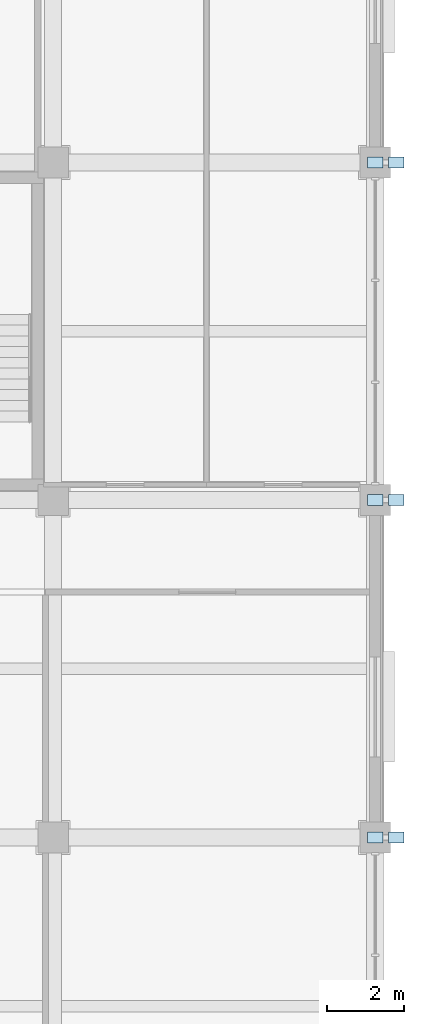
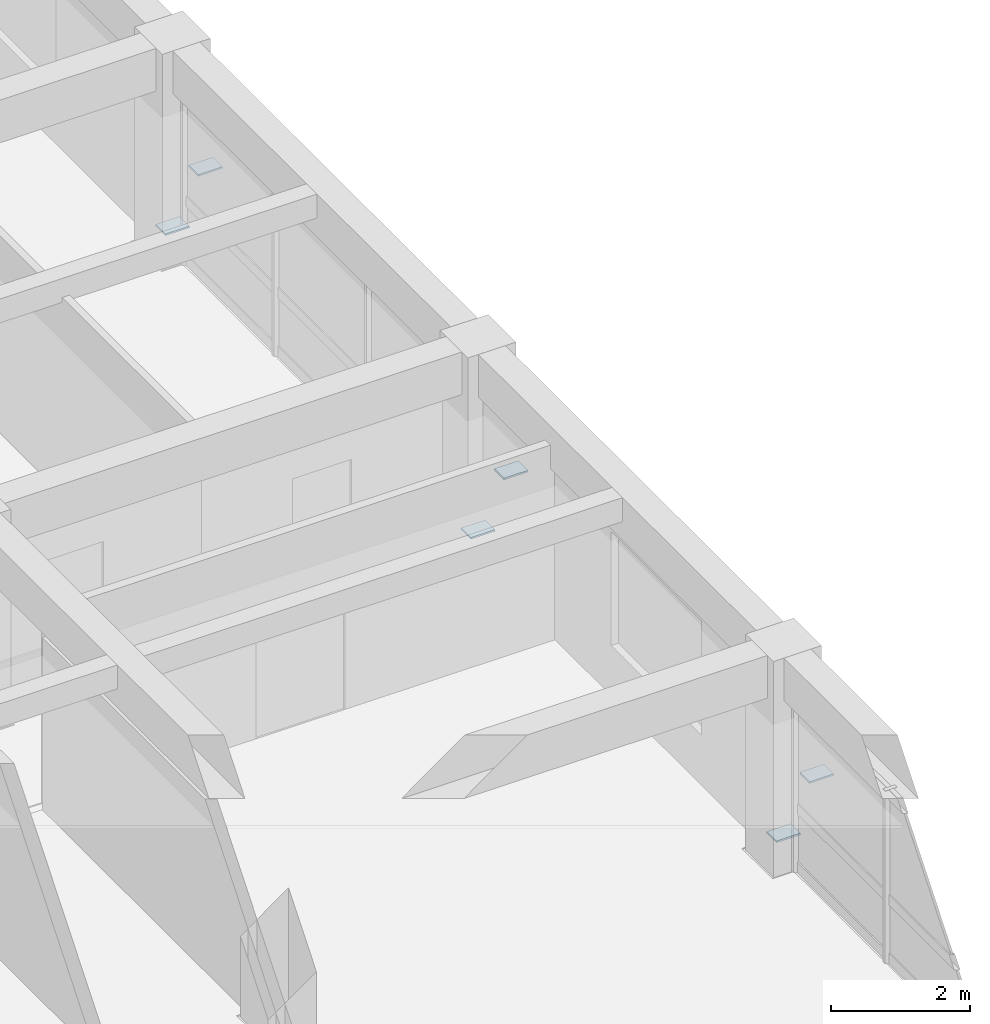
# One storey, part 8 of 16: 6 plates.
"""IFC4 building model written with IfcOpenShell, lengths in metres."""

import ifcopenshell
import ifcopenshell.guid

model = None  # the IFC model being written
_history = None  # IfcOwnerHistory: only IFC2X3 demands one
_inside = {}  # id of a spatial element -> (the spatial element, [elements in it])
_under = {}  # id of a project, library or spatial element -> (it, [spatial elements below it])
_declared = {}  # id of a project -> (the project, [libraries it declares])
_typed = {}  # id of a type object -> (the type object, [elements of that type])
_made_of = {}  # id of a material, layer set ... -> (it, [elements and type objects made of it])


def new_model(schema):
    """Start an empty IFC model of exactly this schema.

    Asked for "IFC4X3", IfcOpenShell would pick the latest addendum, in which some entities
    have other attributes; the version numbers below select the first issue.
    IFC2X3 requires an IfcOwnerHistory on every rooted entity: one is made here for all.
    """
    global model, _history
    if schema == "IFC4X3":
        model = ifcopenshell.file(schema_version=(4, 3, 0, 0))
    else:
        model = ifcopenshell.file(schema=schema)
    _inside.clear()
    _under.clear()
    _declared.clear()
    _typed.clear()
    _made_of.clear()
    _history = None
    if model.schema == "IFC2X3":
        org = make("IfcOrganization", Name="unknown")
        user = make(
            "IfcPersonAndOrganization",
            ThePerson=make("IfcPerson", FamilyName="unknown"),
            TheOrganization=org,
        )
        app = make(
            "IfcApplication",
            ApplicationDeveloper=org,
            Version="unknown",
            ApplicationFullName="unknown",
            ApplicationIdentifier="unknown",
        )
        _history = make(
            "IfcOwnerHistory",
            OwningUser=user,
            OwningApplication=app,
            ChangeAction="ADDED",
            CreationDate=0,
        )
    return model


def make(cls, **values):
    """One entity of the class cls with the attributes given. An attribute that is None is left unset."""
    return model.create_entity(
        cls, **{name: value for name, value in values.items() if value is not None}
    )


def rooted(cls, **values):
    """An entity with a GlobalId (a new one), such as an element, a storey or a relation."""
    return make(cls, GlobalId=ifcopenshell.guid.new(), OwnerHistory=_history, **values)


def si_unit(unit_type, name, prefix=None):
    """IfcSIUnit, for example si_unit("LENGTHUNIT", "METRE", prefix="MILLI")."""
    return make("IfcSIUnit", UnitType=unit_type, Prefix=prefix, Name=name)


def assignment(units):
    """IfcUnitAssignment: the units of a project."""
    return None if units is None else make("IfcUnitAssignment", Units=units)


def point(xyz):
    """IfcCartesianPoint."""
    return None if xyz is None else make("IfcCartesianPoint", Coordinates=xyz)


def direction(xyz):
    """IfcDirection."""
    return None if xyz is None else make("IfcDirection", DirectionRatios=xyz)


def frame(location, z_axis=None, x_axis=None):
    """IfcAxis2Placement3D, a coordinate frame: its origin and axes. An axis left out is left unset."""
    return make(
        "IfcAxis2Placement3D",
        Location=point(location),
        Axis=direction(z_axis),
        RefDirection=direction(x_axis),
    )


def frame_2d(location, x_axis=None):
    """IfcAxis2Placement2D, a coordinate frame in the plane: its origin and x axis."""
    return make(
        "IfcAxis2Placement2D", Location=point(location), RefDirection=direction(x_axis)
    )


def origin():
    """The frame at (0, 0, 0) with its axes left unset."""
    return frame((0.0, 0.0, 0.0))


def origin_2d():
    """The frame at (0, 0) in the plane with its x axis left unset."""
    return frame_2d((0.0, 0.0))


def place(relative_to, where):
    """IfcLocalPlacement: puts the frame where relative to a parent placement (None: the world)."""
    return make(
        "IfcLocalPlacement", PlacementRelTo=relative_to, RelativePlacement=where
    )


def context(
    kind, dimensions, precision=None, world=None, true_north=None, identifier=None
):
    """IfcGeometricRepresentationContext, for example the 3D "Model" context."""
    return make(
        "IfcGeometricRepresentationContext",
        ContextIdentifier=identifier,
        ContextType=kind,
        CoordinateSpaceDimension=dimensions,
        Precision=precision,
        WorldCoordinateSystem=world,
        TrueNorth=true_north,
    )


def subcontext(parent, identifier, kind, view, scale=None):
    """IfcGeometricRepresentationSubContext, for example "Body" below "Model"."""
    return make(
        "IfcGeometricRepresentationSubContext",
        ContextIdentifier=identifier,
        ContextType=kind,
        ParentContext=parent,
        TargetScale=scale,
        TargetView=view,
    )


def project(units=None, contexts=None):
    """IfcProject with its units and contexts."""
    return rooted(
        "IfcProject",
        Name="project",
        RepresentationContexts=contexts,
        UnitsInContext=assignment(units),
    )


def spatial(cls, under=None, at=None, **own):
    """A site, building, storey or space (cls), placed at a placement, below another one or the project."""
    s = rooted(cls, ObjectPlacement=at, **own)
    if under is not None:
        _under.setdefault(under.id(), (under, []))[1].append(s)
    return s


def profile(cls, at=None, kind="AREA", **sizes):
    """A parametric profile (cls). Its sizes go by their IFC names, for example OverallWidth=200.0."""
    return make(cls, ProfileType=kind, Position=at, **sizes)


def rectangle(**sizes):
    """IfcRectangleProfileDef."""
    return profile("IfcRectangleProfileDef", **sizes)


def extrude(swept, where, along, depth):
    """IfcExtrudedAreaSolid: the profile swept, set in the frame where, extruded along a direction by depth."""
    return make(
        "IfcExtrudedAreaSolid",
        SweptArea=swept,
        Position=where,
        ExtrudedDirection=direction(along),
        Depth=depth,
    )


def shape(context_of_items, identifier, shape_type, items):
    """IfcShapeRepresentation: the items that make up one representation, for example the "Body"."""
    return make(
        "IfcShapeRepresentation",
        ContextOfItems=context_of_items,
        RepresentationIdentifier=identifier,
        RepresentationType=shape_type,
        Items=items,
    )


def material(Name=None, Category=None):
    """IfcMaterial."""
    return make("IfcMaterial", Name=Name, Category=Category)


def layer(
    of_material, thickness, ventilated=None, Name=None, Category=None, Priority=None
):
    """IfcMaterialLayer: one layer of a wall or slab, of a material (None: an air gap)."""
    return make(
        "IfcMaterialLayer",
        Material=of_material,
        LayerThickness=thickness,
        IsVentilated=ventilated,
        Name=Name,
        Category=Category,
        Priority=Priority,
    )


def layer_set(layers, Name=None):
    """IfcMaterialLayerSet."""
    return make("IfcMaterialLayerSet", MaterialLayers=layers, LayerSetName=Name)


def made_of(thing, what):
    """Note that an element or type object is made of a material, layer set ...; save() writes the relation."""
    if what is not None:
        _made_of.setdefault(what.id(), (what, []))[1].append(thing)
    return thing


def type_object(cls, material=None, **own):
    """A type object (cls), such as IfcWallType, which elements share."""
    return made_of(rooted(cls, **own), material)


def element(
    cls,
    number,
    at=None,
    inside=None,
    cuts=None,
    type_object=None,
    material=None,
    context=None,
    identifier="Body",
    shape_type=None,
    held_by="IfcProductDefinitionShape",
    body=None,
    shapes=None,
    **own,
):
    """One element of the class cls, such as IfcWall. Its Tag is "e" and its number.

    at: its placement. inside: the storey or other place that contains it. cuts: it is an
    opening in that element (IfcRelVoidsElement). A single representation is given by context,
    identifier, shape_type and body (its items); several are given by shapes. held_by: the class
    of the entity that holds the representations. save() writes the other relations.
    """
    e = rooted(cls, Tag="e%d" % number, ObjectPlacement=at, **own)
    if body is not None:
        shapes = [shape(context, identifier, shape_type, body)]
    if shapes is not None:
        e.Representation = make(held_by, Representations=shapes)
    if inside is not None:
        _inside.setdefault(inside.id(), (inside, []))[1].append(e)
    if cuts is not None:
        rooted(
            "IfcRelVoidsElement", RelatingBuildingElement=cuts, RelatedOpeningElement=e
        )
    if type_object is not None:
        _typed.setdefault(type_object.id(), (type_object, []))[1].append(e)
    return made_of(e, material)


def aggregate(whole, parts):
    """IfcRelAggregates: a whole, such as a stair, and the parts it consists of."""
    return rooted("IfcRelAggregates", RelatingObject=whole, RelatedObjects=parts)


def save(model, path):
    """Write the relations noted so far, then the file.

    IfcRelAggregates (storeys below a building ...), IfcRelContainedInSpatialStructure (elements
    in a storey), IfcRelDefinesByType, IfcRelAssociatesMaterial and IfcRelDeclares: one each for
    every whole, place, type object, material and project.
    """
    for whole, parts in _under.values():
        aggregate(whole, parts)
    for where, things in _inside.values():
        rooted(
            "IfcRelContainedInSpatialStructure",
            RelatedElements=things,
            RelatingStructure=where,
        )
    for kind, things in _typed.values():
        rooted("IfcRelDefinesByType", RelatedObjects=things, RelatingType=kind)
    for what, things in _made_of.values():
        rooted("IfcRelAssociatesMaterial", RelatedObjects=things, RelatingMaterial=what)
    for by, libraries in _declared.values():
        rooted("IfcRelDeclares", RelatingContext=by, RelatedDefinitions=libraries)
    model.write(path)


model = new_model("IFC4")

# Units and contexts
model_context = context("Model", 3, precision=1e-05, world=origin(), true_north=direction((0.0, 1.0)))
body_context = subcontext(model_context, "Body", "Model", "MODEL_VIEW")
ifc_project = project(units=[si_unit("LENGTHUNIT", "METRE"), si_unit("AREAUNIT", "SQUARE_METRE"), si_unit("VOLUMEUNIT", "CUBIC_METRE"), si_unit("PLANEANGLEUNIT", "RADIAN"), si_unit("MASSUNIT", "GRAM", prefix="KILO")], contexts=[model_context])

# Site, building, storey
site_placement = place(None, origin())
site = spatial("IfcSite", under=ifc_project, at=site_placement, CompositionType="ELEMENT")
building_placement = place(site_placement, origin())
building = spatial("IfcBuilding", under=site, at=building_placement, Name="Kemercrest Conservatory and Botanical Centre", CompositionType="ELEMENT")
storey_placement = place(building_placement, frame((0.0, 0.0, 17.199951171875)))
storey = spatial("IfcBuildingStorey", under=building, at=storey_placement, Name="L04", CompositionType="ELEMENT", Elevation=17.199951171875)

# Plates
ifc_material = material(Name="Steel CSA G40.21 350W", Category="steel")
ifc_layer = layer(ifc_material, 0.030029296875)
ifc_layer_set = layer_set([ifc_layer], Name="Steel CSA G40.21 350W")
plate_type = type_object("IfcPlateType", Name="GN-05", PredefinedType="USERDEFINED", material=ifc_layer_set)
for number, where, z_axis, x_axis, name in (
    (1, (176.550048828125, 96.0, 1.23486328125), (0.0, 0.0, 1.0), (1.0, 0.0, 0.0), "Cumba knee bracket end cap plate GN-05 L04-1"),
    (2, (176.0, 96.0, 0.38525390625), (0.0, 0.0, 1.0), (1.0, 0.0, 0.0), "Cumba knee bracket wall gusset plate GN-05 L04-1"),
    (3, (176.550048828125, 104.800048828125, 1.23486328125), (0.0, 0.0, 1.0), (1.0, 0.0, 0.0), "Cumba knee bracket end cap plate GN-05 L04-2"),
    (4, (176.0, 104.800048828125, 0.38525390625), (0.0, 0.0, 1.0), (1.0, 0.0, 0.0), "Cumba knee bracket wall gusset plate GN-05 L04-2"),
    (5, (176.550048828125, 113.60009765625, 1.23486328125), (0.0, 0.0, 1.0), (1.0, 0.0, 0.0), "Cumba knee bracket end cap plate GN-05 L04-3"),
    (6, (176.0, 113.60009765625, 0.38525390625), (0.0, 0.0, 1.0), (1.0, 0.0, 0.0), "Cumba knee bracket wall gusset plate GN-05 L04-3"),
):
    element("IfcPlate", number, at=place(storey_placement, frame(where, z_axis=z_axis, x_axis=x_axis)), inside=storey, type_object=plate_type, Name=name, ObjectType="GUSSET PLATE", PredefinedType="USERDEFINED", context=body_context, shape_type="SweptSolid", body=[
        extrude(rectangle(XDim=0.39990234375, YDim=0.280029296875, at=origin_2d()), origin(), (0.0, 0.0, 1.0), 0.030029296875),
    ])

save(model, "model.ifc")
